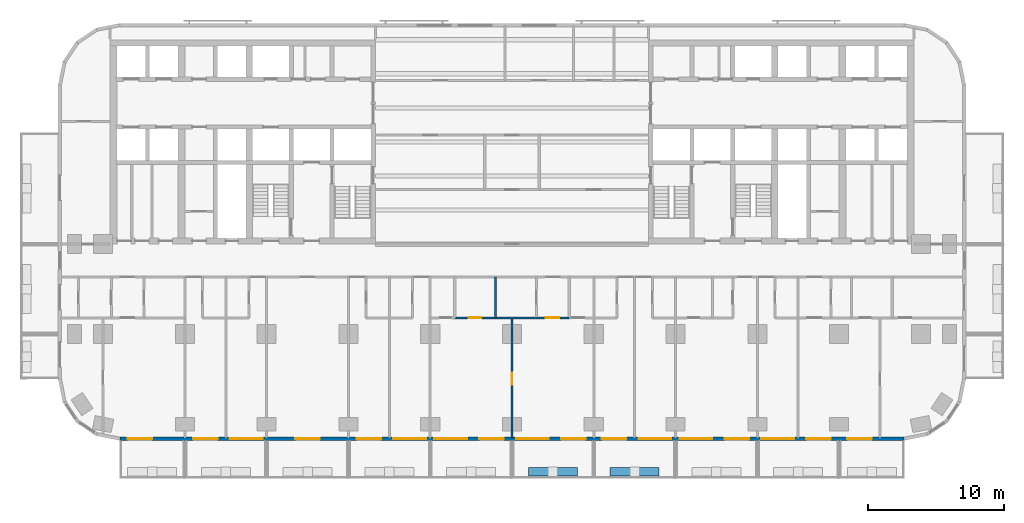
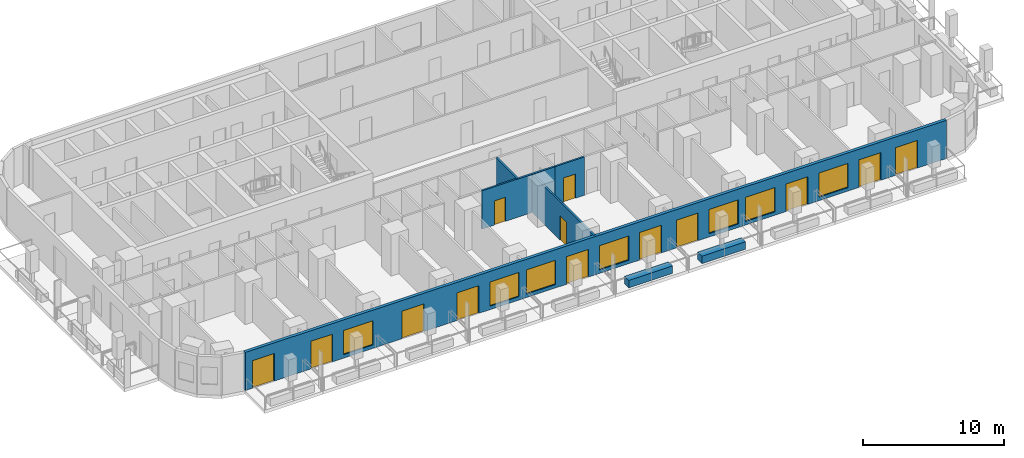
# One storey, part 5 of 15: 13 doors, 7 walls, 7 windows, 20 openings.
"""IFC4 building model written with IfcOpenShell, lengths in metres."""

import ifcopenshell
import ifcopenshell.guid

model = None  # the IFC model being written
_history = None  # IfcOwnerHistory: only IFC2X3 demands one
_inside = {}  # id of a spatial element -> (the spatial element, [elements in it])
_under = {}  # id of a project, library or spatial element -> (it, [spatial elements below it])
_declared = {}  # id of a project -> (the project, [libraries it declares])
_typed = {}  # id of a type object -> (the type object, [elements of that type])
_made_of = {}  # id of a material, layer set ... -> (it, [elements and type objects made of it])


def new_model(schema):
    """Start an empty IFC model of exactly this schema.

    Asked for "IFC4X3", IfcOpenShell would pick the latest addendum, in which some entities
    have other attributes; the version numbers below select the first issue.
    IFC2X3 requires an IfcOwnerHistory on every rooted entity: one is made here for all.
    """
    global model, _history
    if schema == "IFC4X3":
        model = ifcopenshell.file(schema_version=(4, 3, 0, 0))
    else:
        model = ifcopenshell.file(schema=schema)
    _inside.clear()
    _under.clear()
    _declared.clear()
    _typed.clear()
    _made_of.clear()
    _history = None
    if model.schema == "IFC2X3":
        org = make("IfcOrganization", Name="unknown")
        user = make(
            "IfcPersonAndOrganization",
            ThePerson=make("IfcPerson", FamilyName="unknown"),
            TheOrganization=org,
        )
        app = make(
            "IfcApplication",
            ApplicationDeveloper=org,
            Version="unknown",
            ApplicationFullName="unknown",
            ApplicationIdentifier="unknown",
        )
        _history = make(
            "IfcOwnerHistory",
            OwningUser=user,
            OwningApplication=app,
            ChangeAction="ADDED",
            CreationDate=0,
        )
    return model


def make(cls, **values):
    """One entity of the class cls with the attributes given. An attribute that is None is left unset."""
    return model.create_entity(
        cls, **{name: value for name, value in values.items() if value is not None}
    )


def rooted(cls, **values):
    """An entity with a GlobalId (a new one), such as an element, a storey or a relation."""
    return make(cls, GlobalId=ifcopenshell.guid.new(), OwnerHistory=_history, **values)


def si_unit(unit_type, name, prefix=None):
    """IfcSIUnit, for example si_unit("LENGTHUNIT", "METRE", prefix="MILLI")."""
    return make("IfcSIUnit", UnitType=unit_type, Prefix=prefix, Name=name)


def assignment(units):
    """IfcUnitAssignment: the units of a project."""
    return None if units is None else make("IfcUnitAssignment", Units=units)


def point(xyz):
    """IfcCartesianPoint."""
    return None if xyz is None else make("IfcCartesianPoint", Coordinates=xyz)


def direction(xyz):
    """IfcDirection."""
    return None if xyz is None else make("IfcDirection", DirectionRatios=xyz)


def frame(location, z_axis=None, x_axis=None):
    """IfcAxis2Placement3D, a coordinate frame: its origin and axes. An axis left out is left unset."""
    return make(
        "IfcAxis2Placement3D",
        Location=point(location),
        Axis=direction(z_axis),
        RefDirection=direction(x_axis),
    )


def frame_2d(location, x_axis=None):
    """IfcAxis2Placement2D, a coordinate frame in the plane: its origin and x axis."""
    return make(
        "IfcAxis2Placement2D", Location=point(location), RefDirection=direction(x_axis)
    )


def origin():
    """The frame at (0, 0, 0) with its axes left unset."""
    return frame((0.0, 0.0, 0.0))


def place(relative_to, where):
    """IfcLocalPlacement: puts the frame where relative to a parent placement (None: the world)."""
    return make(
        "IfcLocalPlacement", PlacementRelTo=relative_to, RelativePlacement=where
    )


def context(
    kind, dimensions, precision=None, world=None, true_north=None, identifier=None
):
    """IfcGeometricRepresentationContext, for example the 3D "Model" context."""
    return make(
        "IfcGeometricRepresentationContext",
        ContextIdentifier=identifier,
        ContextType=kind,
        CoordinateSpaceDimension=dimensions,
        Precision=precision,
        WorldCoordinateSystem=world,
        TrueNorth=true_north,
    )


def subcontext(parent, identifier, kind, view, scale=None):
    """IfcGeometricRepresentationSubContext, for example "Body" below "Model"."""
    return make(
        "IfcGeometricRepresentationSubContext",
        ContextIdentifier=identifier,
        ContextType=kind,
        ParentContext=parent,
        TargetScale=scale,
        TargetView=view,
    )


def project(units=None, contexts=None):
    """IfcProject with its units and contexts."""
    return rooted(
        "IfcProject",
        Name="project",
        RepresentationContexts=contexts,
        UnitsInContext=assignment(units),
    )


def spatial(cls, under=None, at=None, **own):
    """A site, building, storey or space (cls), placed at a placement, below another one or the project."""
    s = rooted(cls, ObjectPlacement=at, **own)
    if under is not None:
        _under.setdefault(under.id(), (under, []))[1].append(s)
    return s


def profile(cls, at=None, kind="AREA", **sizes):
    """A parametric profile (cls). Its sizes go by their IFC names, for example OverallWidth=200.0."""
    return make(cls, ProfileType=kind, Position=at, **sizes)


def rectangle(**sizes):
    """IfcRectangleProfileDef."""
    return profile("IfcRectangleProfileDef", **sizes)


def extrude(swept, where, along, depth):
    """IfcExtrudedAreaSolid: the profile swept, set in the frame where, extruded along a direction by depth."""
    return make(
        "IfcExtrudedAreaSolid",
        SweptArea=swept,
        Position=where,
        ExtrudedDirection=direction(along),
        Depth=depth,
    )


def shape(context_of_items, identifier, shape_type, items):
    """IfcShapeRepresentation: the items that make up one representation, for example the "Body"."""
    return make(
        "IfcShapeRepresentation",
        ContextOfItems=context_of_items,
        RepresentationIdentifier=identifier,
        RepresentationType=shape_type,
        Items=items,
    )


def material(Name=None, Category=None):
    """IfcMaterial."""
    return make("IfcMaterial", Name=Name, Category=Category)


def layer(
    of_material, thickness, ventilated=None, Name=None, Category=None, Priority=None
):
    """IfcMaterialLayer: one layer of a wall or slab, of a material (None: an air gap)."""
    return make(
        "IfcMaterialLayer",
        Material=of_material,
        LayerThickness=thickness,
        IsVentilated=ventilated,
        Name=Name,
        Category=Category,
        Priority=Priority,
    )


def layer_set(layers, Name=None):
    """IfcMaterialLayerSet."""
    return make("IfcMaterialLayerSet", MaterialLayers=layers, LayerSetName=Name)


def made_of(thing, what):
    """Note that an element or type object is made of a material, layer set ...; save() writes the relation."""
    if what is not None:
        _made_of.setdefault(what.id(), (what, []))[1].append(thing)
    return thing


def type_object(cls, material=None, **own):
    """A type object (cls), such as IfcWallType, which elements share."""
    return made_of(rooted(cls, **own), material)


def element(
    cls,
    number,
    at=None,
    inside=None,
    cuts=None,
    type_object=None,
    material=None,
    context=None,
    identifier="Body",
    shape_type=None,
    held_by="IfcProductDefinitionShape",
    body=None,
    shapes=None,
    **own,
):
    """One element of the class cls, such as IfcWall. Its Tag is "e" and its number.

    at: its placement. inside: the storey or other place that contains it. cuts: it is an
    opening in that element (IfcRelVoidsElement). A single representation is given by context,
    identifier, shape_type and body (its items); several are given by shapes. held_by: the class
    of the entity that holds the representations. save() writes the other relations.
    """
    e = rooted(cls, Tag="e%d" % number, ObjectPlacement=at, **own)
    if body is not None:
        shapes = [shape(context, identifier, shape_type, body)]
    if shapes is not None:
        e.Representation = make(held_by, Representations=shapes)
    if inside is not None:
        _inside.setdefault(inside.id(), (inside, []))[1].append(e)
    if cuts is not None:
        rooted(
            "IfcRelVoidsElement", RelatingBuildingElement=cuts, RelatedOpeningElement=e
        )
    if type_object is not None:
        _typed.setdefault(type_object.id(), (type_object, []))[1].append(e)
    return made_of(e, material)


def fill(opening, filler):
    """IfcRelFillsElement: the door or window that sits in an opening."""
    return rooted(
        "IfcRelFillsElement",
        RelatingOpeningElement=opening,
        RelatedBuildingElement=filler,
    )


def aggregate(whole, parts):
    """IfcRelAggregates: a whole, such as a stair, and the parts it consists of."""
    return rooted("IfcRelAggregates", RelatingObject=whole, RelatedObjects=parts)


def save(model, path):
    """Write the relations noted so far, then the file.

    IfcRelAggregates (storeys below a building ...), IfcRelContainedInSpatialStructure (elements
    in a storey), IfcRelDefinesByType, IfcRelAssociatesMaterial and IfcRelDeclares: one each for
    every whole, place, type object, material and project.
    """
    for whole, parts in _under.values():
        aggregate(whole, parts)
    for where, things in _inside.values():
        rooted(
            "IfcRelContainedInSpatialStructure",
            RelatedElements=things,
            RelatingStructure=where,
        )
    for kind, things in _typed.values():
        rooted("IfcRelDefinesByType", RelatedObjects=things, RelatingType=kind)
    for what, things in _made_of.values():
        rooted("IfcRelAssociatesMaterial", RelatedObjects=things, RelatingMaterial=what)
    for by, libraries in _declared.values():
        rooted("IfcRelDeclares", RelatingContext=by, RelatedDefinitions=libraries)
    model.write(path)


model = new_model("IFC4")

# Units and contexts
model_context = context("Model", 3, precision=1e-05, world=origin(), true_north=direction((0.0, 1.0)))
body_context = subcontext(model_context, "Body", "Model", "MODEL_VIEW")
ifc_project = project(units=[si_unit("LENGTHUNIT", "METRE"), si_unit("AREAUNIT", "SQUARE_METRE"), si_unit("VOLUMEUNIT", "CUBIC_METRE"), si_unit("PLANEANGLEUNIT", "RADIAN"), si_unit("MASSUNIT", "GRAM", prefix="KILO")], contexts=[model_context])

# Site, building, storey
site_placement = place(None, origin())
site = spatial("IfcSite", under=ifc_project, at=site_placement, CompositionType="ELEMENT")
building_placement = place(site_placement, origin())
building = spatial("IfcBuilding", under=site, at=building_placement, Name="Torana Hotel and Residences", CompositionType="ELEMENT")
storey_placement = place(building_placement, frame((0.0, 0.0, 45.60009765625)))
storey = spatial("IfcBuildingStorey", under=building, at=storey_placement, Name="L10", CompositionType="ELEMENT", Elevation=45.60009765625)

# Wall, openings, doors, windows
ifc_material_1 = material(Name="Black aluminium composite panel", Category="aluminium")
ifc_layer_1 = layer(ifc_material_1, 0.00390625, Name="Cladding", Category="cladding")
ifc_material_2 = material(Name="Ventilated air cavity")
ifc_layer_2 = layer(ifc_material_2, 0.0400390625, Name="Ventilated cavity", Category="cavity")
ifc_material_3 = material(Name="Mineral wool insulation")
ifc_layer_3 = layer(ifc_material_3, 0.090087890625, Name="Insulation", Category="insulation")
ifc_material_4 = material(Name="Steel S280GD", Category="steel")
ifc_layer_4 = layer(ifc_material_4, 0.092041015625, Name="Steel stud frame", Category="structure")
ifc_material_5 = material(Name="Fire rated plasterboard")
ifc_layer_5 = layer(ifc_material_5, 0.011962890625, Name="Inner board", Category="finish")
ifc_layer_6 = layer(ifc_material_5, 0.011962890625, Name="Second board", Category="finish")
ifc_layer_set_1 = layer_set([ifc_layer_1, ifc_layer_2, ifc_layer_3, ifc_layer_4, ifc_layer_5, ifc_layer_6], Name="EW1 EXTERNAL WALL BLACK METAL CLAD 250")
wall_type_1 = type_object("IfcWallType", Name="EW1 EXTERNAL WALL BLACK METAL CLAD 250", PredefinedType="SOLIDWALL", material=ifc_layer_set_1)
wall_1_placement = place(storey_placement, frame((-28.775390625, -29.27490234375, 0.0), z_axis=(0.0, 0.0, 1.0), x_axis=(1.0, 0.0, 0.0)))
wall_1 = element("IfcWall", 1, at=wall_1_placement, inside=storey, type_object=wall_type_1, Name="External wall L10 e0.14", PredefinedType="SOLIDWALL", context=body_context, shape_type="SweptSolid", body=[
    extrude(rectangle(XDim=57.55078125, YDim=0.25, at=frame_2d((28.775390625, 0.0))), origin(), (0.0, 0.0, 1.0), 3.31982421875),
])
opening_1_placement = place(wall_1_placement, frame((0.575439453125, 0.0, 0.0)))
opening_1 = element("IfcOpeningElement", 2, at=opening_1_placement, cuts=wall_1, Name="Opening L10-E01", PredefinedType="OPENING", context=body_context, shape_type="SweptSolid", body=[
    extrude(rectangle(XDim=1.800048828125, YDim=2.39990234375, at=frame_2d((0.89990234375, 1.199951171875))), frame((0.0, 0.135009765625, 0.0), z_axis=(0.0, -1.0, 0.0), x_axis=(1.0, 0.0, 0.0)), (0.0, 0.0, 1.0), 0.27001953125),
])
opening_2_placement = place(wall_1_placement, frame((5.37548828125, 0.0, 0.0)))
opening_2 = element("IfcOpeningElement", 3, at=opening_2_placement, cuts=wall_1, Name="Opening L10-E02", PredefinedType="OPENING", context=body_context, shape_type="SweptSolid", body=[
    extrude(rectangle(XDim=1.800048828125, YDim=2.39990234375, at=frame_2d((0.89990234375, 1.199951171875))), frame((0.0, 0.135009765625, 0.0), z_axis=(0.0, -1.0, 0.0), x_axis=(1.0, 0.0, 0.0)), (0.0, 0.0, 1.0), 0.27001953125),
])
opening_3_placement = place(wall_1_placement, frame((8.075439453125, 0.0, 0.300048828125)))
opening_3 = element("IfcOpeningElement", 4, at=opening_3_placement, cuts=wall_1, Name="Opening W1", PredefinedType="OPENING", context=body_context, shape_type="SweptSolid", body=[
    extrude(rectangle(XDim=2.39990234375, YDim=2.10009765625, at=frame_2d((1.199951171875, 1.050048828125))), frame((0.0, 0.135009765625, 0.0), z_axis=(0.0, -1.0, 0.0), x_axis=(1.0, 0.0, 0.0)), (0.0, 0.0, 1.0), 0.27001953125),
])
opening_4_placement = place(wall_1_placement, frame((12.87548828125, 0.0, 0.0)))
opening_4 = element("IfcOpeningElement", 5, at=opening_4_placement, cuts=wall_1, Name="Opening L10-E03", PredefinedType="OPENING", context=body_context, shape_type="SweptSolid", body=[
    extrude(rectangle(XDim=1.800048828125, YDim=2.39990234375, at=frame_2d((0.89990234375, 1.199951171875))), frame((0.0, 0.135009765625, 0.0), z_axis=(0.0, -1.0, 0.0), x_axis=(1.0, 0.0, 0.0)), (0.0, 0.0, 1.0), 0.27001953125),
])
opening_5_placement = place(wall_1_placement, frame((17.37548828125, 0.0, 0.0)))
opening_5 = element("IfcOpeningElement", 6, at=opening_5_placement, cuts=wall_1, Name="Opening L10-E04", PredefinedType="OPENING", context=body_context, shape_type="SweptSolid", body=[
    extrude(rectangle(XDim=1.800048828125, YDim=2.39990234375, at=frame_2d((0.89990234375, 1.199951171875))), frame((0.0, 0.135009765625, 0.0), z_axis=(0.0, -1.0, 0.0), x_axis=(1.0, 0.0, 0.0)), (0.0, 0.0, 1.0), 0.27001953125),
])
opening_6_placement = place(wall_1_placement, frame((20.075439453125, 0.0, 0.300048828125)))
opening_6 = element("IfcOpeningElement", 7, at=opening_6_placement, cuts=wall_1, Name="Opening W1", PredefinedType="OPENING", context=body_context, shape_type="SweptSolid", body=[
    extrude(rectangle(XDim=2.39990234375, YDim=2.10009765625, at=frame_2d((1.199951171875, 1.050048828125))), frame((0.0, 0.135009765625, 0.0), z_axis=(0.0, -1.0, 0.0), x_axis=(1.0, 0.0, 0.0)), (0.0, 0.0, 1.0), 0.27001953125),
])
opening_7_placement = place(wall_1_placement, frame((23.075439453125, 0.0, 0.300048828125)))
opening_7 = element("IfcOpeningElement", 8, at=opening_7_placement, cuts=wall_1, Name="Opening W1", PredefinedType="OPENING", context=body_context, shape_type="SweptSolid", body=[
    extrude(rectangle(XDim=2.39990234375, YDim=2.10009765625, at=frame_2d((1.199951171875, 1.050048828125))), frame((0.0, 0.135009765625, 0.0), z_axis=(0.0, -1.0, 0.0), x_axis=(1.0, 0.0, 0.0)), (0.0, 0.0, 1.0), 0.27001953125),
])
opening_8_placement = place(wall_1_placement, frame((26.37548828125, 0.0, 0.0)))
opening_8 = element("IfcOpeningElement", 9, at=opening_8_placement, cuts=wall_1, Name="Opening L10-E05", PredefinedType="OPENING", context=body_context, shape_type="SweptSolid", body=[
    extrude(rectangle(XDim=1.800048828125, YDim=2.39990234375, at=frame_2d((0.89990234375, 1.199951171875))), frame((0.0, 0.135009765625, 0.0), z_axis=(0.0, -1.0, 0.0), x_axis=(1.0, 0.0, 0.0)), (0.0, 0.0, 1.0), 0.27001953125),
])
opening_9_placement = place(wall_1_placement, frame((29.075439453125, 0.0, 0.300048828125)))
opening_9 = element("IfcOpeningElement", 10, at=opening_9_placement, cuts=wall_1, Name="Opening W1", PredefinedType="OPENING", context=body_context, shape_type="SweptSolid", body=[
    extrude(rectangle(XDim=2.39990234375, YDim=2.10009765625, at=frame_2d((1.199951171875, 1.050048828125))), frame((0.0, 0.135009765625, 0.0), z_axis=(0.0, -1.0, 0.0), x_axis=(1.0, 0.0, 0.0)), (0.0, 0.0, 1.0), 0.27001953125),
])
opening_10_placement = place(wall_1_placement, frame((32.37548828125, 0.0, 0.0)))
opening_10 = element("IfcOpeningElement", 11, at=opening_10_placement, cuts=wall_1, Name="Opening L10-E06", PredefinedType="OPENING", context=body_context, shape_type="SweptSolid", body=[
    extrude(rectangle(XDim=1.800048828125, YDim=2.39990234375, at=frame_2d((0.89990234375, 1.199951171875))), frame((0.0, 0.135009765625, 0.0), z_axis=(0.0, -1.0, 0.0), x_axis=(1.0, 0.0, 0.0)), (0.0, 0.0, 1.0), 0.27001953125),
])
opening_11_placement = place(wall_1_placement, frame((35.37548828125, 0.0, 0.0)))
opening_11 = element("IfcOpeningElement", 12, at=opening_11_placement, cuts=wall_1, Name="Opening L10-E07", PredefinedType="OPENING", context=body_context, shape_type="SweptSolid", body=[
    extrude(rectangle(XDim=1.800048828125, YDim=2.39990234375, at=frame_2d((0.89990234375, 1.199951171875))), frame((0.0, 0.135009765625, 0.0), z_axis=(0.0, -1.0, 0.0), x_axis=(1.0, 0.0, 0.0)), (0.0, 0.0, 1.0), 0.27001953125),
])
opening_12_placement = place(wall_1_placement, frame((38.075439453125, 0.0, 0.300048828125)))
opening_12 = element("IfcOpeningElement", 13, at=opening_12_placement, cuts=wall_1, Name="Opening W1", PredefinedType="OPENING", context=body_context, shape_type="SweptSolid", body=[
    extrude(rectangle(XDim=2.39990234375, YDim=2.10009765625, at=frame_2d((1.199951171875, 1.050048828125))), frame((0.0, 0.135009765625, 0.0), z_axis=(0.0, -1.0, 0.0), x_axis=(1.0, 0.0, 0.0)), (0.0, 0.0, 1.0), 0.27001953125),
])
opening_13_placement = place(wall_1_placement, frame((41.075439453125, 0.0, 0.300048828125)))
opening_13 = element("IfcOpeningElement", 14, at=opening_13_placement, cuts=wall_1, Name="Opening W1", PredefinedType="OPENING", context=body_context, shape_type="SweptSolid", body=[
    extrude(rectangle(XDim=2.39990234375, YDim=2.10009765625, at=frame_2d((1.199951171875, 1.050048828125))), frame((0.0, 0.135009765625, 0.0), z_axis=(0.0, -1.0, 0.0), x_axis=(1.0, 0.0, 0.0)), (0.0, 0.0, 1.0), 0.27001953125),
])
opening_14_placement = place(wall_1_placement, frame((44.37548828125, 0.0, 0.0)))
opening_14 = element("IfcOpeningElement", 15, at=opening_14_placement, cuts=wall_1, Name="Opening L10-E08", PredefinedType="OPENING", context=body_context, shape_type="SweptSolid", body=[
    extrude(rectangle(XDim=1.800048828125, YDim=2.39990234375, at=frame_2d((0.89990234375, 1.199951171875))), frame((0.0, 0.135009765625, 0.0), z_axis=(0.0, -1.0, 0.0), x_axis=(1.0, 0.0, 0.0)), (0.0, 0.0, 1.0), 0.27001953125),
])
opening_15_placement = place(wall_1_placement, frame((47.075439453125, 0.0, 0.300048828125)))
opening_15 = element("IfcOpeningElement", 16, at=opening_15_placement, cuts=wall_1, Name="Opening W1", PredefinedType="OPENING", context=body_context, shape_type="SweptSolid", body=[
    extrude(rectangle(XDim=2.39990234375, YDim=2.10009765625, at=frame_2d((1.199951171875, 1.050048828125))), frame((0.0, 0.135009765625, 0.0), z_axis=(0.0, -1.0, 0.0), x_axis=(1.0, 0.0, 0.0)), (0.0, 0.0, 1.0), 0.27001953125),
])
opening_16_placement = place(wall_1_placement, frame((50.37548828125, 0.0, 0.0)))
opening_16 = element("IfcOpeningElement", 17, at=opening_16_placement, cuts=wall_1, Name="Opening L10-E09", PredefinedType="OPENING", context=body_context, shape_type="SweptSolid", body=[
    extrude(rectangle(XDim=1.800048828125, YDim=2.39990234375, at=frame_2d((0.89990234375, 1.199951171875))), frame((0.0, 0.135009765625, 0.0), z_axis=(0.0, -1.0, 0.0), x_axis=(1.0, 0.0, 0.0)), (0.0, 0.0, 1.0), 0.27001953125),
])
opening_17_placement = place(wall_1_placement, frame((53.37548828125, 0.0, 0.0)))
opening_17 = element("IfcOpeningElement", 18, at=opening_17_placement, cuts=wall_1, Name="Opening L10-E10", PredefinedType="OPENING", context=body_context, shape_type="SweptSolid", body=[
    extrude(rectangle(XDim=1.800048828125, YDim=2.39990234375, at=frame_2d((0.89990234375, 1.199951171875))), frame((0.0, 0.135009765625, 0.0), z_axis=(0.0, -1.0, 0.0), x_axis=(1.0, 0.0, 0.0)), (0.0, 0.0, 1.0), 0.27001953125),
])
ifc_material_6 = material(Name="Dark glass in black aluminium frame", Category="aluminium")
door_type_1 = type_object("IfcDoorType", Name="DB1 BALCONY DOOR 1800x2400", OperationType="DOUBLE_DOOR_SINGLE_SWING", PredefinedType="DOOR", material=ifc_material_6)
door_1_placement = place(opening_1_placement, origin())
door_1 = element("IfcDoor", 19, at=door_1_placement, inside=storey, type_object=door_type_1, Name="Balcony door L10", OperationType="DOUBLE_DOOR_SINGLE_SWING", OverallHeight=2.39990234375, OverallWidth=1.800048828125, PredefinedType="DOOR", context=body_context, shape_type="SweptSolid", body=[
    extrude(rectangle(XDim=1.800048828125, YDim=2.39990234375, at=frame_2d((0.89990234375, 1.199951171875))), frame((0.0, 0.02490234375, 0.0), z_axis=(0.0, -1.0, 0.0), x_axis=(1.0, 0.0, 0.0)), (0.0, 0.0, 1.0), 0.050048828125),
])
fill(opening_1, door_1)
door_2_placement = place(opening_2_placement, frame((0.89990234375, 0.0, 0.0), z_axis=(0.0, 0.0, 1.0), x_axis=(-1.0, 0.0, 0.0)))
door_2 = element("IfcDoor", 20, at=door_2_placement, inside=storey, type_object=door_type_1, Name="Balcony door L10", OperationType="DOUBLE_DOOR_SINGLE_SWING", OverallHeight=2.39990234375, OverallWidth=1.800048828125, PredefinedType="DOOR", context=body_context, shape_type="SweptSolid", body=[
    extrude(rectangle(XDim=1.800048828125, YDim=2.39990234375, at=frame_2d((0.0, 1.199951171875))), frame((0.0, -0.02490234375, 0.0), z_axis=(0.0, 1.0, 0.0), x_axis=(-1.0, 0.0, 0.0)), (0.0, 0.0, 1.0), 0.050048828125),
])
fill(opening_2, door_2)
door_3_placement = place(opening_4_placement, origin())
door_3 = element("IfcDoor", 21, at=door_3_placement, inside=storey, type_object=door_type_1, Name="Balcony door L10", OperationType="DOUBLE_DOOR_SINGLE_SWING", OverallHeight=2.39990234375, OverallWidth=1.800048828125, PredefinedType="DOOR", context=body_context, shape_type="SweptSolid", body=[
    extrude(rectangle(XDim=1.800048828125, YDim=2.39990234375, at=frame_2d((0.89990234375, 1.199951171875))), frame((0.0, 0.02490234375, 0.0), z_axis=(0.0, -1.0, 0.0), x_axis=(1.0, 0.0, 0.0)), (0.0, 0.0, 1.0), 0.050048828125),
])
fill(opening_4, door_3)
door_4_placement = place(opening_5_placement, frame((0.89990234375, 0.0, 0.0), z_axis=(0.0, 0.0, 1.0), x_axis=(-1.0, 0.0, 0.0)))
door_4 = element("IfcDoor", 22, at=door_4_placement, inside=storey, type_object=door_type_1, Name="Balcony door L10", OperationType="DOUBLE_DOOR_SINGLE_SWING", OverallHeight=2.39990234375, OverallWidth=1.800048828125, PredefinedType="DOOR", context=body_context, shape_type="SweptSolid", body=[
    extrude(rectangle(XDim=1.800048828125, YDim=2.39990234375, at=frame_2d((0.0, 1.199951171875))), frame((0.0, -0.02490234375, 0.0), z_axis=(0.0, 1.0, 0.0), x_axis=(-1.0, 0.0, 0.0)), (0.0, 0.0, 1.0), 0.050048828125),
])
fill(opening_5, door_4)
door_5_placement = place(opening_8_placement, frame((0.89990234375, 0.0, 0.0), z_axis=(0.0, 0.0, 1.0), x_axis=(-1.0, 0.0, 0.0)))
door_5 = element("IfcDoor", 23, at=door_5_placement, inside=storey, type_object=door_type_1, Name="Balcony door L10", OperationType="DOUBLE_DOOR_SINGLE_SWING", OverallHeight=2.39990234375, OverallWidth=1.800048828125, PredefinedType="DOOR", context=body_context, shape_type="SweptSolid", body=[
    extrude(rectangle(XDim=1.800048828125, YDim=2.39990234375, at=frame_2d((0.0, 1.199951171875))), frame((0.0, -0.02490234375, 0.0), z_axis=(0.0, 1.0, 0.0), x_axis=(-1.0, 0.0, 0.0)), (0.0, 0.0, 1.0), 0.050048828125),
])
fill(opening_8, door_5)
door_6_placement = place(opening_10_placement, frame((0.89990234375, 0.0, 0.0), z_axis=(0.0, 0.0, 1.0), x_axis=(-1.0, 0.0, 0.0)))
door_6 = element("IfcDoor", 24, at=door_6_placement, inside=storey, type_object=door_type_1, Name="Balcony door L10", OperationType="DOUBLE_DOOR_SINGLE_SWING", OverallHeight=2.39990234375, OverallWidth=1.800048828125, PredefinedType="DOOR", context=body_context, shape_type="SweptSolid", body=[
    extrude(rectangle(XDim=1.800048828125, YDim=2.39990234375, at=frame_2d((0.0, 1.199951171875))), frame((0.0, -0.02490234375, 0.0), z_axis=(0.0, 1.0, 0.0), x_axis=(-1.0, 0.0, 0.0)), (0.0, 0.0, 1.0), 0.050048828125),
])
fill(opening_10, door_6)
door_7_placement = place(opening_11_placement, frame((0.89990234375, 0.0, 0.0), z_axis=(0.0, 0.0, 1.0), x_axis=(-1.0, 0.0, 0.0)))
door_7 = element("IfcDoor", 25, at=door_7_placement, inside=storey, type_object=door_type_1, Name="Balcony door L10", OperationType="DOUBLE_DOOR_SINGLE_SWING", OverallHeight=2.39990234375, OverallWidth=1.800048828125, PredefinedType="DOOR", context=body_context, shape_type="SweptSolid", body=[
    extrude(rectangle(XDim=1.800048828125, YDim=2.39990234375, at=frame_2d((0.0, 1.199951171875))), frame((0.0, -0.02490234375, 0.0), z_axis=(0.0, 1.0, 0.0), x_axis=(-1.0, 0.0, 0.0)), (0.0, 0.0, 1.0), 0.050048828125),
])
fill(opening_11, door_7)
door_8_placement = place(opening_14_placement, frame((0.89990234375, 0.0, 0.0), z_axis=(0.0, 0.0, 1.0), x_axis=(-1.0, 0.0, 0.0)))
door_8 = element("IfcDoor", 26, at=door_8_placement, inside=storey, type_object=door_type_1, Name="Balcony door L10", OperationType="DOUBLE_DOOR_SINGLE_SWING", OverallHeight=2.39990234375, OverallWidth=1.800048828125, PredefinedType="DOOR", context=body_context, shape_type="SweptSolid", body=[
    extrude(rectangle(XDim=1.800048828125, YDim=2.39990234375, at=frame_2d((0.0, 1.199951171875))), frame((0.0, -0.02490234375, 0.0), z_axis=(0.0, 1.0, 0.0), x_axis=(-1.0, 0.0, 0.0)), (0.0, 0.0, 1.0), 0.050048828125),
])
fill(opening_14, door_8)
door_9_placement = place(opening_16_placement, frame((0.89990234375, 0.0, 0.0), z_axis=(0.0, 0.0, 1.0), x_axis=(-1.0, 0.0, 0.0)))
door_9 = element("IfcDoor", 27, at=door_9_placement, inside=storey, type_object=door_type_1, Name="Balcony door L10", OperationType="DOUBLE_DOOR_SINGLE_SWING", OverallHeight=2.39990234375, OverallWidth=1.800048828125, PredefinedType="DOOR", context=body_context, shape_type="SweptSolid", body=[
    extrude(rectangle(XDim=1.800048828125, YDim=2.39990234375, at=frame_2d((0.0, 1.199951171875))), frame((0.0, -0.02490234375, 0.0), z_axis=(0.0, 1.0, 0.0), x_axis=(-1.0, 0.0, 0.0)), (0.0, 0.0, 1.0), 0.050048828125),
])
fill(opening_16, door_9)
door_10_placement = place(opening_17_placement, frame((0.89990234375, 0.0, 0.0), z_axis=(0.0, 0.0, 1.0), x_axis=(-1.0, 0.0, 0.0)))
door_10 = element("IfcDoor", 28, at=door_10_placement, inside=storey, type_object=door_type_1, Name="Balcony door L10", OperationType="DOUBLE_DOOR_SINGLE_SWING", OverallHeight=2.39990234375, OverallWidth=1.800048828125, PredefinedType="DOOR", context=body_context, shape_type="SweptSolid", body=[
    extrude(rectangle(XDim=1.800048828125, YDim=2.39990234375, at=frame_2d((0.0, 1.199951171875))), frame((0.0, -0.02490234375, 0.0), z_axis=(0.0, 1.0, 0.0), x_axis=(-1.0, 0.0, 0.0)), (0.0, 0.0, 1.0), 0.050048828125),
])
fill(opening_17, door_10)
ifc_material_7 = material(Name="Dark glass in black aluminium frame", Category="aluminium")
window_type = type_object("IfcWindowType", Name="W1 HOTEL ROOM WINDOW 2400x2100", PartitioningType="SINGLE_PANEL", PredefinedType="WINDOW", material=ifc_material_7)
window_1_placement = place(opening_3_placement, origin())
window_1 = element("IfcWindow", 29, at=window_1_placement, inside=storey, type_object=window_type, Name="Window L10", OverallHeight=2.10009765625, OverallWidth=2.39990234375, PartitioningType="SINGLE_PANEL", PredefinedType="WINDOW", context=body_context, shape_type="SweptSolid", body=[
    extrude(rectangle(XDim=2.39990234375, YDim=2.10009765625, at=frame_2d((1.199951171875, 1.050048828125))), frame((0.0, 0.030029296875, 0.0), z_axis=(0.0, -1.0, 0.0), x_axis=(1.0, 0.0, 0.0)), (0.0, 0.0, 1.0), 0.06005859375),
])
fill(opening_3, window_1)
window_2_placement = place(opening_6_placement, origin())
window_2 = element("IfcWindow", 30, at=window_2_placement, inside=storey, type_object=window_type, Name="Window L10", OverallHeight=2.10009765625, OverallWidth=2.39990234375, PartitioningType="SINGLE_PANEL", PredefinedType="WINDOW", context=body_context, shape_type="SweptSolid", body=[
    extrude(rectangle(XDim=2.39990234375, YDim=2.10009765625, at=frame_2d((1.199951171875, 1.050048828125))), frame((0.0, 0.030029296875, 0.0), z_axis=(0.0, -1.0, 0.0), x_axis=(1.0, 0.0, 0.0)), (0.0, 0.0, 1.0), 0.06005859375),
])
fill(opening_6, window_2)
window_3_placement = place(opening_7_placement, origin())
window_3 = element("IfcWindow", 31, at=window_3_placement, inside=storey, type_object=window_type, Name="Window L10", OverallHeight=2.10009765625, OverallWidth=2.39990234375, PartitioningType="SINGLE_PANEL", PredefinedType="WINDOW", context=body_context, shape_type="SweptSolid", body=[
    extrude(rectangle(XDim=2.39990234375, YDim=2.10009765625, at=frame_2d((1.199951171875, 1.050048828125))), frame((0.0, 0.030029296875, 0.0), z_axis=(0.0, -1.0, 0.0), x_axis=(1.0, 0.0, 0.0)), (0.0, 0.0, 1.0), 0.06005859375),
])
fill(opening_7, window_3)
window_4_placement = place(opening_9_placement, origin())
window_4 = element("IfcWindow", 32, at=window_4_placement, inside=storey, type_object=window_type, Name="Window L10", OverallHeight=2.10009765625, OverallWidth=2.39990234375, PartitioningType="SINGLE_PANEL", PredefinedType="WINDOW", context=body_context, shape_type="SweptSolid", body=[
    extrude(rectangle(XDim=2.39990234375, YDim=2.10009765625, at=frame_2d((1.199951171875, 1.050048828125))), frame((0.0, 0.030029296875, 0.0), z_axis=(0.0, -1.0, 0.0), x_axis=(1.0, 0.0, 0.0)), (0.0, 0.0, 1.0), 0.06005859375),
])
fill(opening_9, window_4)
window_5_placement = place(opening_12_placement, origin())
window_5 = element("IfcWindow", 33, at=window_5_placement, inside=storey, type_object=window_type, Name="Window L10", OverallHeight=2.10009765625, OverallWidth=2.39990234375, PartitioningType="SINGLE_PANEL", PredefinedType="WINDOW", context=body_context, shape_type="SweptSolid", body=[
    extrude(rectangle(XDim=2.39990234375, YDim=2.10009765625, at=frame_2d((1.199951171875, 1.050048828125))), frame((0.0, 0.030029296875, 0.0), z_axis=(0.0, -1.0, 0.0), x_axis=(1.0, 0.0, 0.0)), (0.0, 0.0, 1.0), 0.06005859375),
])
fill(opening_12, window_5)
window_6_placement = place(opening_13_placement, origin())
window_6 = element("IfcWindow", 34, at=window_6_placement, inside=storey, type_object=window_type, Name="Window L10", OverallHeight=2.10009765625, OverallWidth=2.39990234375, PartitioningType="SINGLE_PANEL", PredefinedType="WINDOW", context=body_context, shape_type="SweptSolid", body=[
    extrude(rectangle(XDim=2.39990234375, YDim=2.10009765625, at=frame_2d((1.199951171875, 1.050048828125))), frame((0.0, 0.030029296875, 0.0), z_axis=(0.0, -1.0, 0.0), x_axis=(1.0, 0.0, 0.0)), (0.0, 0.0, 1.0), 0.06005859375),
])
fill(opening_13, window_6)
window_7_placement = place(opening_15_placement, origin())
window_7 = element("IfcWindow", 35, at=window_7_placement, inside=storey, type_object=window_type, Name="Window L10", OverallHeight=2.10009765625, OverallWidth=2.39990234375, PartitioningType="SINGLE_PANEL", PredefinedType="WINDOW", context=body_context, shape_type="SweptSolid", body=[
    extrude(rectangle(XDim=2.39990234375, YDim=2.10009765625, at=frame_2d((1.199951171875, 1.050048828125))), frame((0.0, 0.030029296875, 0.0), z_axis=(0.0, -1.0, 0.0), x_axis=(1.0, 0.0, 0.0)), (0.0, 0.0, 1.0), 0.06005859375),
])
fill(opening_15, window_7)

# Wall, opening, door
ifc_material_8 = material(Name="Gypsum plaster")
ifc_layer_7 = layer(ifc_material_8, 0.014892578125, Name="Plaster", Category="finish")
ifc_material_9 = material(Name="Concrete blockwork", Category="masonry")
ifc_layer_8 = layer(ifc_material_9, 0.1201171875, Name="Blockwork", Category="structure")
ifc_layer_9 = layer(ifc_material_8, 0.014892578125, Name="Plaster", Category="finish")
ifc_layer_set_2 = layer_set([ifc_layer_7, ifc_layer_8, ifc_layer_9], Name="FIRE PARTITION 150 BLOCKWORK")
wall_type_2 = type_object("IfcWallType", Name="FIRE PARTITION 150 BLOCKWORK", PredefinedType="PARTITIONING", material=ifc_layer_set_2)
wall_2_placement = place(storey_placement, frame((1.800048828125, -20.39990234375, 0.0), z_axis=(0.0, 0.0, 1.0), x_axis=(1.0, 0.0, 0.0)))
wall_2 = element("IfcWall", 36, at=wall_2_placement, inside=storey, type_object=wall_type_2, Name="Partition L10", PredefinedType="PARTITIONING", context=body_context, shape_type="SweptSolid", body=[
    extrude(rectangle(XDim=2.39990234375, YDim=0.14990234375, at=frame_2d((1.199951171875, 0.0))), origin(), (0.0, 0.0, 1.0), 3.31982421875),
])
opening_18_placement = place(wall_2_placement, frame((0.679931640625, 0.0, 0.0)))
opening_18 = element("IfcOpeningElement", 37, at=opening_18_placement, cuts=wall_2, Name="Opening L10-69", PredefinedType="OPENING", context=body_context, shape_type="SweptSolid", body=[
    extrude(rectangle(XDim=1.0, YDim=2.10009765625, at=frame_2d((0.5, 1.050048828125))), frame((0.0, 0.0849609375, 0.0), z_axis=(0.0, -1.0, 0.0), x_axis=(1.0, 0.0, 0.0)), (0.0, 0.0, 1.0), 0.169921875),
])
ifc_material_10 = material(Name="Steel S235", Category="steel")
door_type_2 = type_object("IfcDoorType", Name="ENTRY FIRE DOOR D6 1000x2100", OperationType="SINGLE_SWING_LEFT", PredefinedType="DOOR", material=ifc_material_10)
door_11_placement = place(opening_18_placement, frame((0.5, 0.0, 0.0), z_axis=(0.0, 0.0, 1.0), x_axis=(-1.0, 0.0, 0.0)))
door_11 = element("IfcDoor", 38, at=door_11_placement, inside=storey, type_object=door_type_2, Name="Door L10", OperationType="SINGLE_SWING_LEFT", OverallHeight=2.10009765625, OverallWidth=1.0, PredefinedType="DOOR", context=body_context, shape_type="SweptSolid", body=[
    extrude(rectangle(XDim=1.0, YDim=2.10009765625, at=frame_2d((0.0, 1.050048828125))), frame((0.0, -0.02490234375, 0.0), z_axis=(0.0, 1.0, 0.0), x_axis=(-1.0, 0.0, 0.0)), (0.0, 0.0, 1.0), 0.050048828125),
])
fill(opening_18, door_11)

ifc_material_11 = material(Name="Gypsum plasterboard")
ifc_layer_10 = layer(ifc_material_11, 0.012451171875, Name="Plasterboard", Category="finish")
ifc_layer_11 = layer(ifc_material_11, 0.012451171875, Name="Plasterboard", Category="finish")
ifc_layer_12 = layer(ifc_material_4, 0.10009765625, Name="Steel studs with mineral wool", Category="insulation")
ifc_layer_13 = layer(ifc_material_11, 0.012451171875, Name="Plasterboard", Category="finish")
ifc_layer_14 = layer(ifc_material_11, 0.012451171875, Name="Plasterboard", Category="finish")
ifc_layer_set_3 = layer_set([ifc_layer_10, ifc_layer_11, ifc_layer_12, ifc_layer_13, ifc_layer_14], Name="PARTITION 150 PLASTERBOARD")
wall_type_3 = type_object("IfcWallType", Name="PARTITION 150 PLASTERBOARD", PredefinedType="PARTITIONING", material=ifc_layer_set_3)
wall_3_placement = place(storey_placement, frame((0.0, -29.219970703125, 0.0), z_axis=(0.0, 0.0, 1.0), x_axis=(0.0, 1.0, 0.0)))
wall_3 = element("IfcWall", 39, at=wall_3_placement, inside=storey, type_object=wall_type_3, Name="Partition L10", PredefinedType="PARTITIONING", context=body_context, shape_type="SweptSolid", body=[
    extrude(rectangle(XDim=8.820068359375, YDim=0.14990234375, at=frame_2d((4.41015625, 0.0))), origin(), (0.0, 0.0, 1.0), 3.31982421875),
])
opening_19_placement = place(wall_3_placement, frame((3.889892578125, 0.0, 0.0)))
opening_19 = element("IfcOpeningElement", 40, at=opening_19_placement, cuts=wall_3, Name="Opening L10-71", PredefinedType="OPENING", context=body_context, shape_type="SweptSolid", body=[
    extrude(rectangle(XDim=0.89990234375, YDim=2.10009765625, at=frame_2d((0.449951171875, 1.050048828125))), frame((0.0, 0.0849609375, 0.0), z_axis=(0.0, -1.0, 0.0), x_axis=(1.0, 0.0, 0.0)), (0.0, 0.0, 1.0), 0.169921875),
])
ifc_material_12 = material(Name="Timber door, oiled ash", Category="wood")
door_type_3 = type_object("IfcDoorType", Name="ROOM DOOR D7 900x2100", OperationType="SINGLE_SWING_LEFT", PredefinedType="DOOR", material=ifc_material_12)
door_12_placement = place(opening_19_placement, origin())
door_12 = element("IfcDoor", 41, at=door_12_placement, inside=storey, type_object=door_type_3, Name="Door L10", OperationType="SINGLE_SWING_RIGHT", OverallHeight=2.10009765625, OverallWidth=0.89990234375, PredefinedType="DOOR", context=body_context, shape_type="SweptSolid", body=[
    extrude(rectangle(XDim=0.89990234375, YDim=2.10009765625, at=frame_2d((0.449951171875, 1.050048828125))), frame((0.0, 0.02490234375, 0.0), z_axis=(0.0, -1.0, 0.0), x_axis=(1.0, 0.0, 0.0)), (0.0, 0.0, 1.0), 0.050048828125),
])
fill(opening_19, door_12)

# Wall
wall_4_placement = place(storey_placement, frame((-1.199951171875, -20.39990234375, 0.0), z_axis=(0.0, 0.0, 1.0), x_axis=(0.0, 1.0, 0.0)))
element("IfcWall", 42, at=wall_4_placement, inside=storey, type_object=wall_type_3, Name="Partition L10", PredefinedType="PARTITIONING", context=body_context, shape_type="SweptSolid", body=[
    extrude(rectangle(XDim=3.0, YDim=0.14990234375, at=frame_2d((1.5, 0.0))), origin(), (0.0, 0.0, 1.0), 3.31982421875),
])

# Wall, opening, door
wall_5_placement = place(storey_placement, frame((-4.199951171875, -20.39990234375, 0.0), z_axis=(0.0, 0.0, 1.0), x_axis=(1.0, 0.0, 0.0)))
wall_5 = element("IfcWall", 43, at=wall_5_placement, inside=storey, type_object=wall_type_3, Name="Partition L10", PredefinedType="PARTITIONING", context=body_context, shape_type="SweptSolid", body=[
    extrude(rectangle(XDim=6.0, YDim=0.14990234375, at=frame_2d((3.0, 0.0))), origin(), (0.0, 0.0, 1.0), 3.31982421875),
])
opening_20_placement = place(wall_5_placement, frame((1.030029296875, 0.0, 0.0)))
opening_20 = element("IfcOpeningElement", 44, at=opening_20_placement, cuts=wall_5, Name="Opening L10-67", PredefinedType="OPENING", context=body_context, shape_type="SweptSolid", body=[
    extrude(rectangle(XDim=0.89990234375, YDim=2.10009765625, at=frame_2d((0.449951171875, 1.050048828125))), frame((0.0, 0.0849609375, 0.0), z_axis=(0.0, -1.0, 0.0), x_axis=(1.0, 0.0, 0.0)), (0.0, 0.0, 1.0), 0.169921875),
])
door_13_placement = place(opening_20_placement, origin())
door_13 = element("IfcDoor", 45, at=door_13_placement, inside=storey, type_object=door_type_3, Name="Door L10", OperationType="SINGLE_SWING_RIGHT", OverallHeight=2.10009765625, OverallWidth=0.89990234375, PredefinedType="DOOR", context=body_context, shape_type="SweptSolid", body=[
    extrude(rectangle(XDim=0.89990234375, YDim=2.10009765625, at=frame_2d((0.449951171875, 1.050048828125))), frame((0.0, 0.02490234375, 0.0), z_axis=(0.0, -1.0, 0.0), x_axis=(1.0, 0.0, 0.0)), (0.0, 0.0, 1.0), 0.050048828125),
])
fill(opening_20, door_13)

# Walls
ifc_material_13 = material(Name="Concrete C40/50 precast", Category="concrete")
ifc_layer_15 = layer(ifc_material_13, 0.10009765625, Name="Planter shell", Category="structure")
ifc_material_14 = material(Name="Root resistant membrane")
ifc_layer_16 = layer(ifc_material_14, 0.00390625, Name="Waterproofing membrane", Category="membrane")
ifc_material_15 = material(Name="Drainage board with filter fleece")
ifc_layer_17 = layer(ifc_material_15, 0.02001953125, Name="Drainage board", Category="drainage")
ifc_material_16 = material(Name="Growing medium")
ifc_layer_18 = layer(ifc_material_16, 0.47607421875, Name="Planting substrate", Category="soil")
ifc_layer_set_4 = layer_set([ifc_layer_15, ifc_layer_16, ifc_layer_17, ifc_layer_18], Name="PL1 BALCONY PLANTER 600")
wall_type_4 = type_object("IfcWallType", Name="PL1 BALCONY PLANTER 600", PredefinedType="USERDEFINED", material=ifc_layer_set_4)
for number, where, z_axis, x_axis, name in (
    (46, (4.800048828125, -31.699951171875, 0.0), (0.0, 0.0, 1.0), (-1.0, 0.0, 0.0), "Planter 06"),
    (47, (10.800048828125, -31.699951171875, 0.0), (0.0, 0.0, 1.0), (-1.0, 0.0, 0.0), "Planter 07"),
):
    element("IfcWall", number, at=place(storey_placement, frame(where, z_axis=z_axis, x_axis=x_axis)), inside=storey, type_object=wall_type_4, Name=name, ObjectType="PLANTER", PredefinedType="USERDEFINED", context=body_context, shape_type="SweptSolid", body=[
        extrude(rectangle(XDim=3.60009765625, YDim=0.60009765625, at=frame_2d((1.800048828125, 0.0))), origin(), (0.0, 0.0, 1.0), 0.64990234375),
    ])

save(model, "model.ifc")
